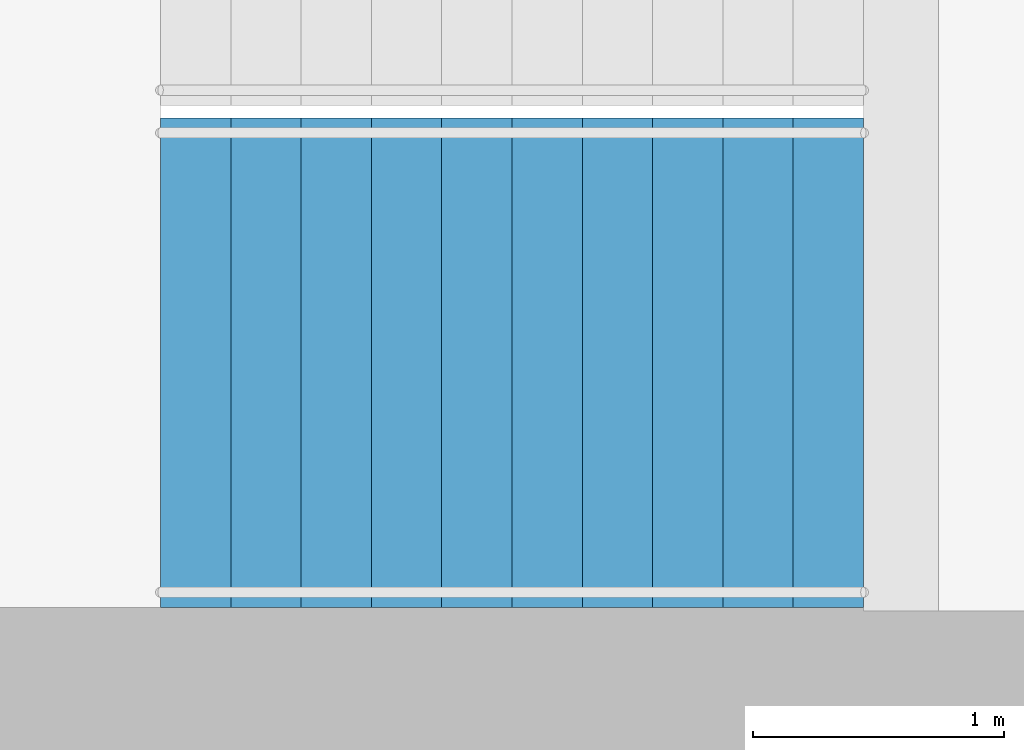
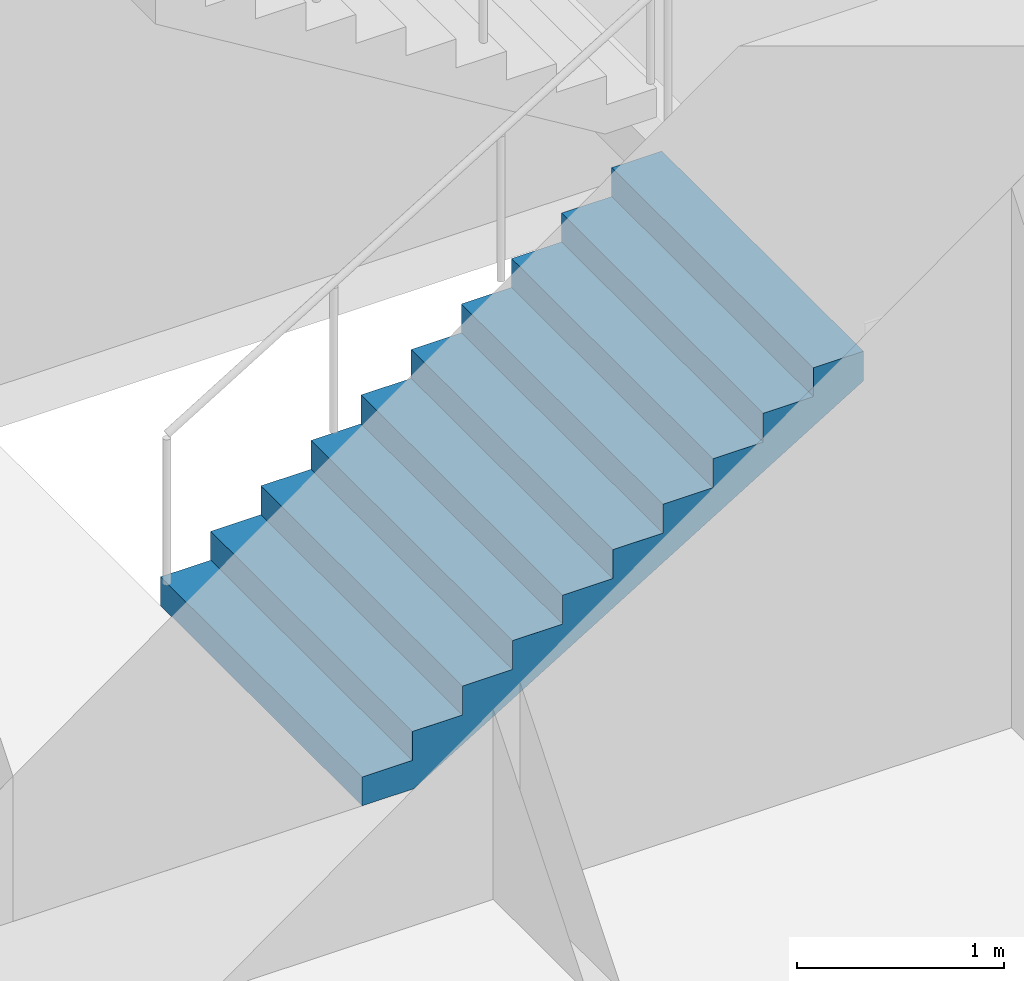
# One storey, part 20 of 24: 1 stair flight, 1 element without a shape of its own.
"""IFC4 building model written with IfcOpenShell, lengths in metres."""

from ifc_helpers import new_model, si_unit, direction, frame, origin, place, context, subcontext, project, spatial, triangles, material, type_object, element, aggregate, save


model = new_model("IFC4")

# Units and contexts
model_context = context("Model", 3, precision=1e-05, world=origin(), true_north=direction((0.0, 1.0)))
body_context = subcontext(model_context, "Body", "Model", "MODEL_VIEW")
ifc_project = project(units=[si_unit("LENGTHUNIT", "METRE"), si_unit("AREAUNIT", "SQUARE_METRE"), si_unit("VOLUMEUNIT", "CUBIC_METRE"), si_unit("PLANEANGLEUNIT", "RADIAN"), si_unit("MASSUNIT", "GRAM", prefix="KILO")], contexts=[model_context])

# Site, building, storey
site_placement = place(None, origin())
site = spatial("IfcSite", under=ifc_project, at=site_placement, CompositionType="ELEMENT")
building_placement = place(site_placement, origin())
building = spatial("IfcBuilding", under=site, at=building_placement, Name="Orbita Commons", CompositionType="ELEMENT")
storey_placement = place(building_placement, frame((0.0, 0.0, 35.199951171875)))
storey = spatial("IfcBuildingStorey", under=building, at=storey_placement, Name="L08", CompositionType="ELEMENT", Elevation=35.199951171875)

# Stair, stair flight
ifc_material_1 = material(Name="Precast concrete C40/50", Category="concrete")
stair_type = type_object("IfcStairType", Name="Exit stair S1 2 flights 11 risers 170", PredefinedType="HALF_TURN_STAIR", material=ifc_material_1)
stair_placement = place(storey_placement, origin())
stair = element("IfcStair", 1, at=stair_placement, inside=storey, type_object=stair_type, Name="Exit stair S1 L08", PredefinedType="HALF_TURN_STAIR")
ifc_material_2 = material(Name="Precast concrete C40/50", Category="concrete")
stair_flight_type = type_object("IfcStairFlightType", Name="Stair flight 11 risers 170 x 280", PredefinedType="STRAIGHT", material=ifc_material_2)
stair_flight_placement = place(storey_placement, frame((20.449951171875, 27.27490234375, 0.0), z_axis=(0.0, 0.0, 1.0), x_axis=(1.0, 0.0, 0.0)))
stair_flight = element("IfcStairFlight", 2, at=stair_flight_placement, type_object=stair_flight_type, Name="S1 flight 1", NumberOfRisers=11, NumberOfTreads=10, PredefinedType="STRAIGHT", RiserHeight=0.170454545, TreadLength=0.28, context=body_context, shape_type="Tessellation", body=[
    triangles([(0.0, 0.974976, 0.0), (0.0, 0.974976, 0.021307), (0.0, 0.81248, 0.021307), (0.0, 0.81248, 0.0), (0.0, 0.649984, 0.021307), (0.0, 0.649984, 0.0), (0.0, 0.487488, 0.021307), (0.0, 0.487488, 0.0), (0.0, 0.324992, 0.021307), (0.0, 0.324992, 0.0), (0.0, 0.162496, 0.021307), (0.0, 0.162496, 0.0), (0.0, 0.0, 0.021307), (0.0, 0.0, 0.0), (0.0, -0.162496, 0.021307), (0.0, -0.162496, 0.0), (0.0, -0.324992, 0.021307), (0.0, -0.324992, 0.0), (0.0, -0.487488, 0.021307), (0.0, -0.487488, 0.0), (0.0, -0.649984, 0.021307), (0.0, -0.649984, 0.0), (0.0, -0.81248, 0.021307), (0.0, -0.81248, 0.0), (0.0, -0.974976, 0.021307), (0.0, -0.974976, 0.0), (0.0, 0.974976, 0.042614), (0.0, 0.81248, 0.042614), (0.0, 0.649984, 0.042614), (0.0, 0.487488, 0.042614), (0.0, 0.324992, 0.042614), (0.0, 0.162496, 0.042614), (0.0, 0.0, 0.042614), (0.0, -0.162496, 0.042614), (0.0, -0.324992, 0.042614), (0.0, -0.487488, 0.042614), (0.0, -0.649984, 0.042614), (0.0, -0.81248, 0.042614), (0.0, -0.974976, 0.042614), (0.0, 0.974976, 0.06392), (0.0, 0.81248, 0.06392), (0.0, 0.649984, 0.06392), (0.0, 0.487488, 0.06392), (0.0, 0.324992, 0.06392), (0.0, 0.162496, 0.06392), (0.0, 0.0, 0.06392), (0.0, -0.162496, 0.06392), (0.0, -0.324992, 0.06392), (0.0, -0.487488, 0.06392), (0.0, -0.649984, 0.06392), (0.0, -0.81248, 0.06392), (0.0, -0.974976, 0.06392), (0.0, 0.974976, 0.085227), (0.0, 0.81248, 0.085227), (0.0, 0.649984, 0.085227), (0.0, 0.487488, 0.085227), (0.0, 0.324992, 0.085227), (0.0, 0.162496, 0.085227), (0.0, 0.0, 0.085227), (0.0, -0.162496, 0.085227), (0.0, -0.324992, 0.085227), (0.0, -0.487488, 0.085227), (0.0, -0.649984, 0.085227), (0.0, -0.81248, 0.085227), (0.0, -0.974976, 0.085227), (0.0, 0.974976, 0.106534), (0.0, 0.81248, 0.106534), (0.0, 0.649984, 0.106534), (0.0, 0.487488, 0.106534), (0.0, 0.324992, 0.106534), (0.0, 0.162496, 0.106534), (0.0, 0.0, 0.106534), (0.0, -0.162496, 0.106534), (0.0, -0.324992, 0.106534), (0.0, -0.487488, 0.106534), (0.0, -0.649984, 0.106534), (0.0, -0.81248, 0.106534), (0.0, -0.974976, 0.106534), (0.0, 0.974976, 0.127841), (0.0, 0.81248, 0.127841), (0.0, 0.649984, 0.127841), (0.0, 0.487488, 0.127841), (0.0, 0.324992, 0.127841), (0.0, 0.162496, 0.127841), (0.0, 0.0, 0.127841), (0.0, -0.162496, 0.127841), (0.0, -0.324992, 0.127841), (0.0, -0.487488, 0.127841), (0.0, -0.649984, 0.127841), (0.0, -0.81248, 0.127841), (0.0, -0.974976, 0.127841), (0.0, 0.974976, 0.149148), (0.0, 0.81248, 0.149148), (0.0, 0.649984, 0.149148), (0.0, 0.487488, 0.149148), (0.0, 0.324992, 0.149148), (0.0, 0.162496, 0.149148), (0.0, 0.0, 0.149148), (0.0, -0.162496, 0.149148), (0.0, -0.324992, 0.149148), (0.0, -0.487488, 0.149148), (0.0, -0.649984, 0.149148), (0.0, -0.81248, 0.149148), (0.0, -0.974976, 0.149148), (0.0, 0.974976, 0.170455), (0.0, 0.81248, 0.170455), (0.0, 0.649984, 0.170455), (0.0, 0.487488, 0.170455), (0.0, 0.324992, 0.170455), (0.0, 0.162496, 0.170455), (0.0, 0.0, 0.170455), (0.0, -0.162496, 0.170455), (0.0, -0.324992, 0.170455), (0.0, -0.487488, 0.170455), (0.0, -0.649984, 0.170455), (0.0, -0.81248, 0.170455), (0.0, -0.974976, 0.170455), (0.28, 0.974976, 0.170455), (0.28, 0.81248, 0.170455), (0.28, 0.649984, 0.170455), (0.28, 0.487488, 0.170455), (0.28, 0.324992, 0.170455), (0.28, 0.162496, 0.170455), (0.28, 0.0, 0.170455), (0.28, -0.162496, 0.170455), (0.28, -0.324992, 0.170455), (0.28, -0.487488, 0.170455), (0.28, -0.649984, 0.170455), (0.28, -0.81248, 0.170455), (0.28, -0.974976, 0.170455), (0.28, 0.974976, 0.340909), (0.28, 0.81248, 0.340909), (0.28, 0.649984, 0.340909), (0.28, 0.487488, 0.340909), (0.28, 0.324992, 0.340909), (0.28, 0.162496, 0.340909), (0.28, 0.0, 0.340909), (0.28, -0.162496, 0.340909), (0.28, -0.324992, 0.340909), (0.28, -0.487488, 0.340909), (0.28, -0.649984, 0.340909), (0.28, -0.81248, 0.340909), (0.28, -0.974976, 0.340909), (0.56, 0.974976, 0.340909), (0.56, 0.81248, 0.340909), (0.56, 0.649984, 0.340909), (0.56, 0.487488, 0.340909), (0.56, 0.324992, 0.340909), (0.56, 0.162496, 0.340909), (0.56, 0.0, 0.340909), (0.56, -0.162496, 0.340909), (0.56, -0.324992, 0.340909), (0.56, -0.487488, 0.340909), (0.56, -0.649984, 0.340909), (0.56, -0.81248, 0.340909), (0.56, -0.974976, 0.340909), (0.56, 0.974976, 0.511364), (0.56, 0.81248, 0.511364), (0.56, 0.649984, 0.511364), (0.56, 0.487488, 0.511364), (0.56, 0.324992, 0.511364), (0.56, 0.162496, 0.511364), (0.56, 0.0, 0.511364), (0.56, -0.162496, 0.511364), (0.56, -0.324992, 0.511364), (0.56, -0.487488, 0.511364), (0.56, -0.649984, 0.511364), (0.56, -0.81248, 0.511364), (0.56, -0.974976, 0.511364), (0.84, 0.974976, 0.511364), (0.84, 0.81248, 0.511364), (0.84, 0.649984, 0.511364), (0.84, 0.487488, 0.511364), (0.84, 0.324992, 0.511364), (0.84, 0.162496, 0.511364), (0.84, 0.0, 0.511364), (0.84, -0.162496, 0.511364), (0.84, -0.324992, 0.511364), (0.84, -0.487488, 0.511364), (0.84, -0.649984, 0.511364), (0.84, -0.81248, 0.511364), (0.84, -0.974976, 0.511364), (0.84, 0.974976, 0.681818), (0.84, 0.81248, 0.681818), (0.84, 0.649984, 0.681818), (0.84, 0.487488, 0.681818), (0.84, 0.324992, 0.681818), (0.84, 0.162496, 0.681818), (0.84, 0.0, 0.681818), (0.84, -0.162496, 0.681818), (0.84, -0.324992, 0.681818), (0.84, -0.487488, 0.681818), (0.84, -0.649984, 0.681818), (0.84, -0.81248, 0.681818), (0.84, -0.974976, 0.681818), (1.12, 0.974976, 0.681818), (1.12, 0.81248, 0.681818), (1.12, 0.649984, 0.681818), (1.12, 0.487488, 0.681818), (1.12, 0.324992, 0.681818), (1.12, 0.162496, 0.681818), (1.12, 0.0, 0.681818), (1.12, -0.162496, 0.681818), (1.12, -0.324992, 0.681818), (1.12, -0.487488, 0.681818), (1.12, -0.649984, 0.681818), (1.12, -0.81248, 0.681818), (1.12, -0.974976, 0.681818), (1.12, 0.974976, 0.852273), (1.12, 0.81248, 0.852273), (1.12, 0.649984, 0.852273), (1.12, 0.487488, 0.852273), (1.12, 0.324992, 0.852273), (1.12, 0.162496, 0.852273), (1.12, 0.0, 0.852273), (1.12, -0.162496, 0.852273), (1.12, -0.324992, 0.852273), (1.12, -0.487488, 0.852273), (1.12, -0.649984, 0.852273), (1.12, -0.81248, 0.852273), (1.12, -0.974976, 0.852273), (1.4, 0.974976, 0.852273), (1.4, 0.81248, 0.852273), (1.4, 0.649984, 0.852273), (1.4, 0.487488, 0.852273), (1.4, 0.324992, 0.852273), (1.4, 0.162496, 0.852273), (1.4, 0.0, 0.852273), (1.4, -0.162496, 0.852273), (1.4, -0.324992, 0.852273), (1.4, -0.487488, 0.852273), (1.4, -0.649984, 0.852273), (1.4, -0.81248, 0.852273), (1.4, -0.974976, 0.852273), (1.4, 0.974976, 1.022727), (1.4, 0.81248, 1.022727), (1.4, 0.649984, 1.022727), (1.4, 0.487488, 1.022727), (1.4, 0.324992, 1.022727), (1.4, 0.162496, 1.022727), (1.4, 0.0, 1.022727), (1.4, -0.162496, 1.022727), (1.4, -0.324992, 1.022727), (1.4, -0.487488, 1.022727), (1.4, -0.649984, 1.022727), (1.4, -0.81248, 1.022727), (1.4, -0.974976, 1.022727), (1.68, 0.974976, 1.022727), (1.68, 0.81248, 1.022727), (1.68, 0.649984, 1.022727), (1.68, 0.487488, 1.022727), (1.68, 0.324992, 1.022727), (1.68, 0.162496, 1.022727), (1.68, 0.0, 1.022727), (1.68, -0.162496, 1.022727), (1.68, -0.324992, 1.022727), (1.68, -0.487488, 1.022727), (1.68, -0.649984, 1.022727), (1.68, -0.81248, 1.022727), (1.68, -0.974976, 1.022727), (1.68, 0.974976, 1.193182), (1.68, 0.81248, 1.193182), (1.68, 0.649984, 1.193182), (1.68, 0.487488, 1.193182), (1.68, 0.324992, 1.193182), (1.68, 0.162496, 1.193182), (1.68, 0.0, 1.193182), (1.68, -0.162496, 1.193182), (1.68, -0.324992, 1.193182), (1.68, -0.487488, 1.193182), (1.68, -0.649984, 1.193182), (1.68, -0.81248, 1.193182), (1.68, -0.974976, 1.193182), (1.96, 0.974976, 1.193182), (1.96, 0.81248, 1.193182), (1.96, 0.649984, 1.193182), (1.96, 0.487488, 1.193182), (1.96, 0.324992, 1.193182), (1.96, 0.162496, 1.193182), (1.96, 0.0, 1.193182), (1.96, -0.162496, 1.193182), (1.96, -0.324992, 1.193182), (1.96, -0.487488, 1.193182), (1.96, -0.649984, 1.193182), (1.96, -0.81248, 1.193182), (1.96, -0.974976, 1.193182), (1.96, 0.974976, 1.363636), (1.96, 0.81248, 1.363636), (1.96, 0.649984, 1.363636), (1.96, 0.487488, 1.363636), (1.96, 0.324992, 1.363636), (1.96, 0.162496, 1.363636), (1.96, 0.0, 1.363636), (1.96, -0.162496, 1.363636), (1.96, -0.324992, 1.363636), (1.96, -0.487488, 1.363636), (1.96, -0.649984, 1.363636), (1.96, -0.81248, 1.363636), (1.96, -0.974976, 1.363636), (2.24, 0.974976, 1.363636), (2.24, 0.81248, 1.363636), (2.24, 0.649984, 1.363636), (2.24, 0.487488, 1.363636), (2.24, 0.324992, 1.363636), (2.24, 0.162496, 1.363636), (2.24, 0.0, 1.363636), (2.24, -0.162496, 1.363636), (2.24, -0.324992, 1.363636), (2.24, -0.487488, 1.363636), (2.24, -0.649984, 1.363636), (2.24, -0.81248, 1.363636), (2.24, -0.974976, 1.363636), (2.24, 0.974976, 1.534091), (2.24, 0.81248, 1.534091), (2.24, 0.649984, 1.534091), (2.24, 0.487488, 1.534091), (2.24, 0.324992, 1.534091), (2.24, 0.162496, 1.534091), (2.24, 0.0, 1.534091), (2.24, -0.162496, 1.534091), (2.24, -0.324992, 1.534091), (2.24, -0.487488, 1.534091), (2.24, -0.649984, 1.534091), (2.24, -0.81248, 1.534091), (2.24, -0.974976, 1.534091), (2.52, 0.974976, 1.534091), (2.52, 0.81248, 1.534091), (2.52, 0.649984, 1.534091), (2.52, 0.487488, 1.534091), (2.52, 0.324992, 1.534091), (2.52, 0.162496, 1.534091), (2.52, 0.0, 1.534091), (2.52, -0.162496, 1.534091), (2.52, -0.324992, 1.534091), (2.52, -0.487488, 1.534091), (2.52, -0.649984, 1.534091), (2.52, -0.81248, 1.534091), (2.52, -0.974976, 1.534091), (2.52, 0.974976, 1.704545), (2.52, 0.81248, 1.704545), (2.52, 0.649984, 1.704545), (2.52, 0.487488, 1.704545), (2.52, 0.324992, 1.704545), (2.52, 0.162496, 1.704545), (2.52, 0.0, 1.704545), (2.52, -0.162496, 1.704545), (2.52, -0.324992, 1.704545), (2.52, -0.487488, 1.704545), (2.52, -0.649984, 1.704545), (2.52, -0.81248, 1.704545), (2.52, -0.974976, 1.704545), (2.8, 0.974976, 1.704545), (2.8, 0.81248, 1.704545), (2.8, 0.649984, 1.704545), (2.8, 0.487488, 1.704545), (2.8, 0.324992, 1.704545), (2.8, 0.162496, 1.704545), (2.8, 0.0, 1.704545), (2.8, -0.162496, 1.704545), (2.8, -0.324992, 1.704545), (2.8, -0.487488, 1.704545), (2.8, -0.649984, 1.704545), (2.8, -0.81248, 1.704545), (2.8, -0.974976, 1.704545), (2.8, 0.974976, 1.682609), (2.8, 0.81248, 1.682609), (2.8, 0.649984, 1.682609), (2.8, 0.487488, 1.682609), (2.8, 0.324992, 1.682609), (2.8, 0.162496, 1.682609), (2.8, 0.0, 1.682609), (2.8, -0.162496, 1.682609), (2.8, -0.324992, 1.682609), (2.8, -0.487488, 1.682609), (2.8, -0.649984, 1.682609), (2.8, -0.81248, 1.682609), (2.8, -0.974976, 1.682609), (2.8, 0.974976, 1.660672), (2.8, 0.81248, 1.660672), (2.8, 0.649984, 1.660672), (2.8, 0.487488, 1.660672), (2.8, 0.324992, 1.660672), (2.8, 0.162496, 1.660672), (2.8, 0.0, 1.660672), (2.8, -0.162496, 1.660672), (2.8, -0.324992, 1.660672), (2.8, -0.487488, 1.660672), (2.8, -0.649984, 1.660672), (2.8, -0.81248, 1.660672), (2.8, -0.974976, 1.660672), (2.8, 0.974976, 1.638735), (2.8, 0.81248, 1.638735), (2.8, 0.649984, 1.638735), (2.8, 0.487488, 1.638735), (2.8, 0.324992, 1.638735), (2.8, 0.162496, 1.638735), (2.8, 0.0, 1.638735), (2.8, -0.162496, 1.638735), (2.8, -0.324992, 1.638735), (2.8, -0.487488, 1.638735), (2.8, -0.649984, 1.638735), (2.8, -0.81248, 1.638735), (2.8, -0.974976, 1.638735), (2.8, 0.974976, 1.616798), (2.8, 0.81248, 1.616798), (2.8, 0.649984, 1.616798), (2.8, 0.487488, 1.616798), (2.8, 0.324992, 1.616798), (2.8, 0.162496, 1.616798), (2.8, 0.0, 1.616798), (2.8, -0.162496, 1.616798), (2.8, -0.324992, 1.616798), (2.8, -0.487488, 1.616798), (2.8, -0.649984, 1.616798), (2.8, -0.81248, 1.616798), (2.8, -0.974976, 1.616798), (2.8, 0.974976, 1.594861), (2.8, 0.81248, 1.594861), (2.8, 0.649984, 1.594861), (2.8, 0.487488, 1.594861), (2.8, 0.324992, 1.594861), (2.8, 0.162496, 1.594861), (2.8, 0.0, 1.594861), (2.8, -0.162496, 1.594861), (2.8, -0.324992, 1.594861), (2.8, -0.487488, 1.594861), (2.8, -0.649984, 1.594861), (2.8, -0.81248, 1.594861), (2.8, -0.974976, 1.594861), (2.8, 0.974976, 1.572925), (2.8, 0.81248, 1.572925), (2.8, 0.649984, 1.572925), (2.8, 0.487488, 1.572925), (2.8, 0.324992, 1.572925), (2.8, 0.162496, 1.572925), (2.8, 0.0, 1.572925), (2.8, -0.162496, 1.572925), (2.8, -0.324992, 1.572925), (2.8, -0.487488, 1.572925), (2.8, -0.649984, 1.572925), (2.8, -0.81248, 1.572925), (2.8, -0.974976, 1.572925), (2.8, 0.974976, 1.550988), (2.8, 0.81248, 1.550988), (2.8, 0.649984, 1.550988), (2.8, 0.487488, 1.550988), (2.8, 0.324992, 1.550988), (2.8, 0.162496, 1.550988), (2.8, 0.0, 1.550988), (2.8, -0.162496, 1.550988), (2.8, -0.324992, 1.550988), (2.8, -0.487488, 1.550988), (2.8, -0.649984, 1.550988), (2.8, -0.81248, 1.550988), (2.8, -0.974976, 1.550988), (2.8, 0.974976, 1.529051), (2.8, 0.81248, 1.529051), (2.8, 0.649984, 1.529051), (2.8, 0.487488, 1.529051), (2.8, 0.324992, 1.529051), (2.8, 0.162496, 1.529051), (2.8, 0.0, 1.529051), (2.8, -0.162496, 1.529051), (2.8, -0.324992, 1.529051), (2.8, -0.487488, 1.529051), (2.8, -0.649984, 1.529051), (2.8, -0.81248, 1.529051), (2.8, -0.974976, 1.529051), (0.288279, 0.974976, 0.0), (0.288279, 0.81248, 0.0), (0.288279, 0.649984, 0.0), (0.288279, 0.487488, 0.0), (0.288279, 0.324992, 0.0), (0.288279, 0.162496, 0.0), (0.288279, 0.0, 0.0), (0.288279, -0.162496, 0.0), (0.288279, -0.324992, 0.0), (0.288279, -0.487488, 0.0), (0.288279, -0.649984, 0.0), (0.288279, -0.81248, 0.0), (0.288279, -0.974976, 0.0)], [[3, 2, 1], [4, 3, 1], [5, 3, 4], [6, 5, 4], [7, 5, 6], [8, 7, 6], [9, 7, 8], [10, 9, 8], [11, 9, 10], [12, 11, 10], [13, 11, 12], [14, 13, 12], [15, 13, 14], [16, 15, 14], [17, 15, 16], [18, 17, 16], [19, 17, 18], [20, 19, 18], [21, 19, 20], [22, 21, 20], [23, 21, 22], [24, 23, 22], [25, 23, 24], [26, 25, 24], [28, 27, 2], [3, 28, 2], [29, 28, 3], [5, 29, 3], [30, 29, 5], [7, 30, 5], [31, 30, 7], [9, 31, 7], [32, 31, 9], [11, 32, 9], [33, 32, 11], [13, 33, 11], [34, 33, 13], [15, 34, 13], [35, 34, 15], [17, 35, 15], [36, 35, 17], [19, 36, 17], [37, 36, 19], [21, 37, 19], [38, 37, 21], [23, 38, 21], [39, 38, 23], [25, 39, 23], [41, 40, 27], [28, 41, 27], [42, 41, 28], [29, 42, 28], [43, 42, 29], [30, 43, 29], [44, 43, 30], [31, 44, 30], [45, 44, 31], [32, 45, 31], [46, 45, 32], [33, 46, 32], [47, 46, 33], [34, 47, 33], [48, 47, 34], [35, 48, 34], [49, 48, 35], [36, 49, 35], [50, 49, 36], [37, 50, 36], [51, 50, 37], [38, 51, 37], [52, 51, 38], [39, 52, 38], [54, 53, 40], [41, 54, 40], [55, 54, 41], [42, 55, 41], [56, 55, 42], [43, 56, 42], [57, 56, 43], [44, 57, 43], [58, 57, 44], [45, 58, 44], [59, 58, 45], [46, 59, 45], [60, 59, 46], [47, 60, 46], [61, 60, 47], [48, 61, 47], [62, 61, 48], [49, 62, 48], [63, 62, 49], [50, 63, 49], [64, 63, 50], [51, 64, 50], [65, 64, 51], [52, 65, 51], [67, 66, 53], [54, 67, 53], [68, 67, 54], [55, 68, 54], [69, 68, 55], [56, 69, 55], [70, 69, 56], [57, 70, 56], [71, 70, 57], [58, 71, 57], [72, 71, 58], [59, 72, 58], [73, 72, 59], [60, 73, 59], [74, 73, 60], [61, 74, 60], [75, 74, 61], [62, 75, 61], [76, 75, 62], [63, 76, 62], [77, 76, 63], [64, 77, 63], [78, 77, 64], [65, 78, 64], [80, 79, 66], [67, 80, 66], [81, 80, 67], [68, 81, 67], [82, 81, 68], [69, 82, 68], [83, 82, 69], [70, 83, 69], [84, 83, 70], [71, 84, 70], [85, 84, 71], [72, 85, 71], [86, 85, 72], [73, 86, 72], [87, 86, 73], [74, 87, 73], [88, 87, 74], [75, 88, 74], [89, 88, 75], [76, 89, 75], [90, 89, 76], [77, 90, 76], [91, 90, 77], [78, 91, 77], [93, 92, 79], [80, 93, 79], [94, 93, 80], [81, 94, 80], [95, 94, 81], [82, 95, 81], [96, 95, 82], [83, 96, 82], [97, 96, 83], [84, 97, 83], [98, 97, 84], [85, 98, 84], [99, 98, 85], [86, 99, 85], [100, 99, 86], [87, 100, 86], [101, 100, 87], [88, 101, 87], [102, 101, 88], [89, 102, 88], [103, 102, 89], [90, 103, 89], [104, 103, 90], [91, 104, 90], [106, 105, 92], [93, 106, 92], [107, 106, 93], [94, 107, 93], [108, 107, 94], [95, 108, 94], [109, 108, 95], [96, 109, 95], [110, 109, 96], [97, 110, 96], [111, 110, 97], [98, 111, 97], [112, 111, 98], [99, 112, 98], [113, 112, 99], [100, 113, 99], [114, 113, 100], [101, 114, 100], [115, 114, 101], [102, 115, 101], [116, 115, 102], [103, 116, 102], [117, 116, 103], [104, 117, 103], [119, 118, 105], [106, 119, 105], [120, 119, 106], [107, 120, 106], [121, 120, 107], [108, 121, 107], [122, 121, 108], [109, 122, 108], [123, 122, 109], [110, 123, 109], [124, 123, 110], [111, 124, 110], [125, 124, 111], [112, 125, 111], [126, 125, 112], [113, 126, 112], [127, 126, 113], [114, 127, 113], [128, 127, 114], [115, 128, 114], [129, 128, 115], [116, 129, 115], [130, 129, 116], [117, 130, 116], [132, 131, 118], [119, 132, 118], [133, 132, 119], [120, 133, 119], [134, 133, 120], [121, 134, 120], [135, 134, 121], [122, 135, 121], [136, 135, 122], [123, 136, 122], [137, 136, 123], [124, 137, 123], [138, 137, 124], [125, 138, 124], [139, 138, 125], [126, 139, 125], [140, 139, 126], [127, 140, 126], [141, 140, 127], [128, 141, 127], [142, 141, 128], [129, 142, 128], [143, 142, 129], [130, 143, 129], [145, 144, 131], [132, 145, 131], [146, 145, 132], [133, 146, 132], [147, 146, 133], [134, 147, 133], [148, 147, 134], [135, 148, 134], [149, 148, 135], [136, 149, 135], [150, 149, 136], [137, 150, 136], [151, 150, 137], [138, 151, 137], [152, 151, 138], [139, 152, 138], [153, 152, 139], [140, 153, 139], [154, 153, 140], [141, 154, 140], [155, 154, 141], [142, 155, 141], [156, 155, 142], [143, 156, 142], [158, 157, 144], [145, 158, 144], [159, 158, 145], [146, 159, 145], [160, 159, 146], [147, 160, 146], [161, 160, 147], [148, 161, 147], [162, 161, 148], [149, 162, 148], [163, 162, 149], [150, 163, 149], [164, 163, 150], [151, 164, 150], [165, 164, 151], [152, 165, 151], [166, 165, 152], [153, 166, 152], [167, 166, 153], [154, 167, 153], [168, 167, 154], [155, 168, 154], [169, 168, 155], [156, 169, 155], [171, 170, 157], [158, 171, 157], [172, 171, 158], [159, 172, 158], [173, 172, 159], [160, 173, 159], [174, 173, 160], [161, 174, 160], [175, 174, 161], [162, 175, 161], [176, 175, 162], [163, 176, 162], [177, 176, 163], [164, 177, 163], [178, 177, 164], [165, 178, 164], [179, 178, 165], [166, 179, 165], [180, 179, 166], [167, 180, 166], [181, 180, 167], [168, 181, 167], [182, 181, 168], [169, 182, 168], [184, 183, 170], [171, 184, 170], [185, 184, 171], [172, 185, 171], [186, 185, 172], [173, 186, 172], [187, 186, 173], [174, 187, 173], [188, 187, 174], [175, 188, 174], [189, 188, 175], [176, 189, 175], [190, 189, 176], [177, 190, 176], [191, 190, 177], [178, 191, 177], [192, 191, 178], [179, 192, 178], [193, 192, 179], [180, 193, 179], [194, 193, 180], [181, 194, 180], [195, 194, 181], [182, 195, 181], [197, 196, 183], [184, 197, 183], [198, 197, 184], [185, 198, 184], [199, 198, 185], [186, 199, 185], [200, 199, 186], [187, 200, 186], [201, 200, 187], [188, 201, 187], [202, 201, 188], [189, 202, 188], [203, 202, 189], [190, 203, 189], [204, 203, 190], [191, 204, 190], [205, 204, 191], [192, 205, 191], [206, 205, 192], [193, 206, 192], [207, 206, 193], [194, 207, 193], [208, 207, 194], [195, 208, 194], [210, 209, 196], [197, 210, 196], [211, 210, 197], [198, 211, 197], [212, 211, 198], [199, 212, 198], [213, 212, 199], [200, 213, 199], [214, 213, 200], [201, 214, 200], [215, 214, 201], [202, 215, 201], [216, 215, 202], [203, 216, 202], [217, 216, 203], [204, 217, 203], [218, 217, 204], [205, 218, 204], [219, 218, 205], [206, 219, 205], [220, 219, 206], [207, 220, 206], [221, 220, 207], [208, 221, 207], [223, 222, 209], [210, 223, 209], [224, 223, 210], [211, 224, 210], [225, 224, 211], [212, 225, 211], [226, 225, 212], [213, 226, 212], [227, 226, 213], [214, 227, 213], [228, 227, 214], [215, 228, 214], [229, 228, 215], [216, 229, 215], [230, 229, 216], [217, 230, 216], [231, 230, 217], [218, 231, 217], [232, 231, 218], [219, 232, 218], [233, 232, 219], [220, 233, 219], [234, 233, 220], [221, 234, 220], [236, 235, 222], [223, 236, 222], [237, 236, 223], [224, 237, 223], [238, 237, 224], [225, 238, 224], [239, 238, 225], [226, 239, 225], [240, 239, 226], [227, 240, 226], [241, 240, 227], [228, 241, 227], [242, 241, 228], [229, 242, 228], [243, 242, 229], [230, 243, 229], [244, 243, 230], [231, 244, 230], [245, 244, 231], [232, 245, 231], [246, 245, 232], [233, 246, 232], [247, 246, 233], [234, 247, 233], [249, 248, 235], [236, 249, 235], [250, 249, 236], [237, 250, 236], [251, 250, 237], [238, 251, 237], [252, 251, 238], [239, 252, 238], [253, 252, 239], [240, 253, 239], [254, 253, 240], [241, 254, 240], [255, 254, 241], [242, 255, 241], [256, 255, 242], [243, 256, 242], [257, 256, 243], [244, 257, 243], [258, 257, 244], [245, 258, 244], [259, 258, 245], [246, 259, 245], [260, 259, 246], [247, 260, 246], [262, 261, 248], [249, 262, 248], [263, 262, 249], [250, 263, 249], [264, 263, 250], [251, 264, 250], [265, 264, 251], [252, 265, 251], [266, 265, 252], [253, 266, 252], [267, 266, 253], [254, 267, 253], [268, 267, 254], [255, 268, 254], [269, 268, 255], [256, 269, 255], [270, 269, 256], [257, 270, 256], [271, 270, 257], [258, 271, 257], [272, 271, 258], [259, 272, 258], [273, 272, 259], [260, 273, 259], [275, 274, 261], [262, 275, 261], [276, 275, 262], [263, 276, 262], [277, 276, 263], [264, 277, 263], [278, 277, 264], [265, 278, 264], [279, 278, 265], [266, 279, 265], [280, 279, 266], [267, 280, 266], [281, 280, 267], [268, 281, 267], [282, 281, 268], [269, 282, 268], [283, 282, 269], [270, 283, 269], [284, 283, 270], [271, 284, 270], [285, 284, 271], [272, 285, 271], [286, 285, 272], [273, 286, 272], [288, 287, 274], [275, 288, 274], [289, 288, 275], [276, 289, 275], [290, 289, 276], [277, 290, 276], [291, 290, 277], [278, 291, 277], [292, 291, 278], [279, 292, 278], [293, 292, 279], [280, 293, 279], [294, 293, 280], [281, 294, 280], [295, 294, 281], [282, 295, 281], [296, 295, 282], [283, 296, 282], [297, 296, 283], [284, 297, 283], [298, 297, 284], [285, 298, 284], [299, 298, 285], [286, 299, 285], [301, 300, 287], [288, 301, 287], [302, 301, 288], [289, 302, 288], [303, 302, 289], [290, 303, 289], [304, 303, 290], [291, 304, 290], [305, 304, 291], [292, 305, 291], [306, 305, 292], [293, 306, 292], [307, 306, 293], [294, 307, 293], [308, 307, 294], [295, 308, 294], [309, 308, 295], [296, 309, 295], [310, 309, 296], [297, 310, 296], [311, 310, 297], [298, 311, 297], [312, 311, 298], [299, 312, 298], [314, 313, 300], [301, 314, 300], [315, 314, 301], [302, 315, 301], [316, 315, 302], [303, 316, 302], [317, 316, 303], [304, 317, 303], [318, 317, 304], [305, 318, 304], [319, 318, 305], [306, 319, 305], [320, 319, 306], [307, 320, 306], [321, 320, 307], [308, 321, 307], [322, 321, 308], [309, 322, 308], [323, 322, 309], [310, 323, 309], [324, 323, 310], [311, 324, 310], [325, 324, 311], [312, 325, 311], [327, 326, 313], [314, 327, 313], [328, 327, 314], [315, 328, 314], [329, 328, 315], [316, 329, 315], [330, 329, 316], [317, 330, 316], [331, 330, 317], [318, 331, 317], [332, 331, 318], [319, 332, 318], [333, 332, 319], [320, 333, 319], [334, 333, 320], [321, 334, 320], [335, 334, 321], [322, 335, 321], [336, 335, 322], [323, 336, 322], [337, 336, 323], [324, 337, 323], [338, 337, 324], [325, 338, 324], [340, 339, 326], [327, 340, 326], [341, 340, 327], [328, 341, 327], [342, 341, 328], [329, 342, 328], [343, 342, 329], [330, 343, 329], [344, 343, 330], [331, 344, 330], [345, 344, 331], [332, 345, 331], [346, 345, 332], [333, 346, 332], [347, 346, 333], [334, 347, 333], [348, 347, 334], [335, 348, 334], [349, 348, 335], [336, 349, 335], [350, 349, 336], [337, 350, 336], [351, 350, 337], [338, 351, 337], [353, 352, 339], [340, 353, 339], [354, 353, 340], [341, 354, 340], [355, 354, 341], [342, 355, 341], [356, 355, 342], [343, 356, 342], [357, 356, 343], [344, 357, 343], [358, 357, 344], [345, 358, 344], [359, 358, 345], [346, 359, 345], [360, 359, 346], [347, 360, 346], [361, 360, 347], [348, 361, 347], [362, 361, 348], [349, 362, 348], [363, 362, 349], [350, 363, 349], [364, 363, 350], [351, 364, 350], [366, 365, 352], [353, 366, 352], [367, 366, 353], [354, 367, 353], [368, 367, 354], [355, 368, 354], [369, 368, 355], [356, 369, 355], [370, 369, 356], [357, 370, 356], [371, 370, 357], [358, 371, 357], [372, 371, 358], [359, 372, 358], [373, 372, 359], [360, 373, 359], [374, 373, 360], [361, 374, 360], [375, 374, 361], [362, 375, 361], [376, 375, 362], [363, 376, 362], [377, 376, 363], [364, 377, 363], [379, 378, 365], [366, 379, 365], [380, 379, 366], [367, 380, 366], [381, 380, 367], [368, 381, 367], [382, 381, 368], [369, 382, 368], [383, 382, 369], [370, 383, 369], [384, 383, 370], [371, 384, 370], [385, 384, 371], [372, 385, 371], [386, 385, 372], [373, 386, 372], [387, 386, 373], [374, 387, 373], [388, 387, 374], [375, 388, 374], [389, 388, 375], [376, 389, 375], [390, 389, 376], [377, 390, 376], [392, 391, 378], [379, 392, 378], [393, 392, 379], [380, 393, 379], [394, 393, 380], [381, 394, 380], [395, 394, 381], [382, 395, 381], [396, 395, 382], [383, 396, 382], [397, 396, 383], [384, 397, 383], [398, 397, 384], [385, 398, 384], [399, 398, 385], [386, 399, 385], [400, 399, 386], [387, 400, 386], [401, 400, 387], [388, 401, 387], [402, 401, 388], [389, 402, 388], [403, 402, 389], [390, 403, 389], [405, 404, 391], [392, 405, 391], [406, 405, 392], [393, 406, 392], [407, 406, 393], [394, 407, 393], [408, 407, 394], [395, 408, 394], [409, 408, 395], [396, 409, 395], [410, 409, 396], [397, 410, 396], [411, 410, 397], [398, 411, 397], [412, 411, 398], [399, 412, 398], [413, 412, 399], [400, 413, 399], [414, 413, 400], [401, 414, 400], [415, 414, 401], [402, 415, 401], [416, 415, 402], [403, 416, 402], [418, 417, 404], [405, 418, 404], [419, 418, 405], [406, 419, 405], [420, 419, 406], [407, 420, 406], [421, 420, 407], [408, 421, 407], [422, 421, 408], [409, 422, 408], [423, 422, 409], [410, 423, 409], [424, 423, 410], [411, 424, 410], [425, 424, 411], [412, 425, 411], [426, 425, 412], [413, 426, 412], [427, 426, 413], [414, 427, 413], [428, 427, 414], [415, 428, 414], [429, 428, 415], [416, 429, 415], [431, 430, 417], [418, 431, 417], [432, 431, 418], [419, 432, 418], [433, 432, 419], [420, 433, 419], [434, 433, 420], [421, 434, 420], [435, 434, 421], [422, 435, 421], [436, 435, 422], [423, 436, 422], [437, 436, 423], [424, 437, 423], [438, 437, 424], [425, 438, 424], [439, 438, 425], [426, 439, 425], [440, 439, 426], [427, 440, 426], [441, 440, 427], [428, 441, 427], [442, 441, 428], [429, 442, 428], [444, 443, 430], [431, 444, 430], [445, 444, 431], [432, 445, 431], [446, 445, 432], [433, 446, 432], [447, 446, 433], [434, 447, 433], [448, 447, 434], [435, 448, 434], [449, 448, 435], [436, 449, 435], [450, 449, 436], [437, 450, 436], [451, 450, 437], [438, 451, 437], [452, 451, 438], [439, 452, 438], [453, 452, 439], [440, 453, 439], [454, 453, 440], [441, 454, 440], [455, 454, 441], [442, 455, 441], [457, 456, 443], [444, 457, 443], [458, 457, 444], [445, 458, 444], [459, 458, 445], [446, 459, 445], [460, 459, 446], [447, 460, 446], [461, 460, 447], [448, 461, 447], [462, 461, 448], [449, 462, 448], [463, 462, 449], [450, 463, 449], [464, 463, 450], [451, 464, 450], [465, 464, 451], [452, 465, 451], [466, 465, 452], [453, 466, 452], [467, 466, 453], [454, 467, 453], [468, 467, 454], [455, 468, 454], [470, 469, 456], [457, 470, 456], [471, 470, 457], [458, 471, 457], [472, 471, 458], [459, 472, 458], [473, 472, 459], [460, 473, 459], [474, 473, 460], [461, 474, 460], [475, 474, 461], [462, 475, 461], [476, 475, 462], [463, 476, 462], [477, 476, 463], [464, 477, 463], [478, 477, 464], [465, 478, 464], [479, 478, 465], [466, 479, 465], [480, 479, 466], [467, 480, 466], [481, 480, 467], [468, 481, 467], [4, 1, 469], [470, 4, 469], [6, 4, 470], [471, 6, 470], [8, 6, 471], [472, 8, 471], [10, 8, 472], [473, 10, 472], [12, 10, 473], [474, 12, 473], [14, 12, 474], [475, 14, 474], [16, 14, 475], [476, 16, 475], [18, 16, 476], [477, 18, 476], [20, 18, 477], [478, 20, 477], [22, 20, 478], [479, 22, 478], [24, 22, 479], [480, 24, 479], [26, 24, 480], [481, 26, 480], [456, 469, 1], [26, 481, 468], [443, 456, 1], [26, 468, 455], [430, 443, 1], [26, 455, 442], [417, 430, 1], [26, 442, 429], [404, 417, 1], [26, 429, 416], [391, 404, 1], [26, 416, 403], [378, 391, 1], [26, 403, 390], [365, 378, 1], [26, 390, 377], [339, 352, 365], [377, 364, 351], [326, 339, 365], [377, 351, 338], [300, 313, 326], [338, 325, 312], [300, 326, 365], [377, 338, 312], [274, 287, 300], [312, 299, 286], [274, 300, 365], [377, 312, 286], [248, 261, 274], [286, 273, 260], [248, 274, 365], [377, 286, 260], [222, 235, 248], [260, 247, 234], [222, 248, 365], [377, 260, 234], [196, 209, 222], [234, 221, 208], [196, 222, 365], [377, 234, 208], [170, 183, 196], [208, 195, 182], [170, 196, 365], [377, 208, 182], [144, 157, 170], [182, 169, 156], [144, 170, 365], [377, 182, 156], [118, 131, 144], [156, 143, 130], [118, 144, 365], [377, 156, 130], [118, 365, 1], [26, 377, 130], [92, 105, 118], [130, 117, 104], [79, 92, 118], [130, 104, 91], [66, 79, 118], [130, 91, 78], [53, 66, 118], [130, 78, 65], [40, 53, 118], [130, 65, 52], [27, 40, 118], [130, 52, 39], [2, 27, 118], [130, 39, 25], [1, 2, 118], [130, 25, 26]], closed=True),
])
aggregate(stair, [stair_flight])

save(model, "model.ifc")
